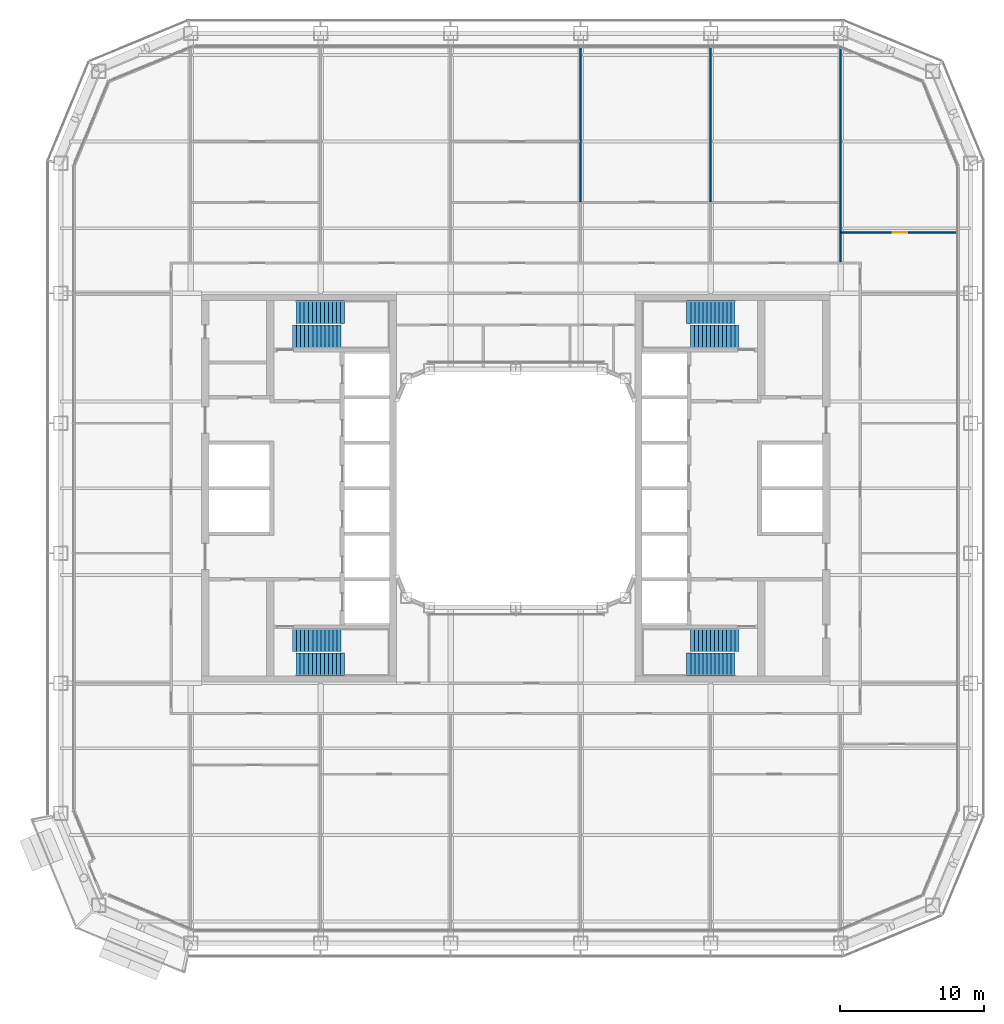
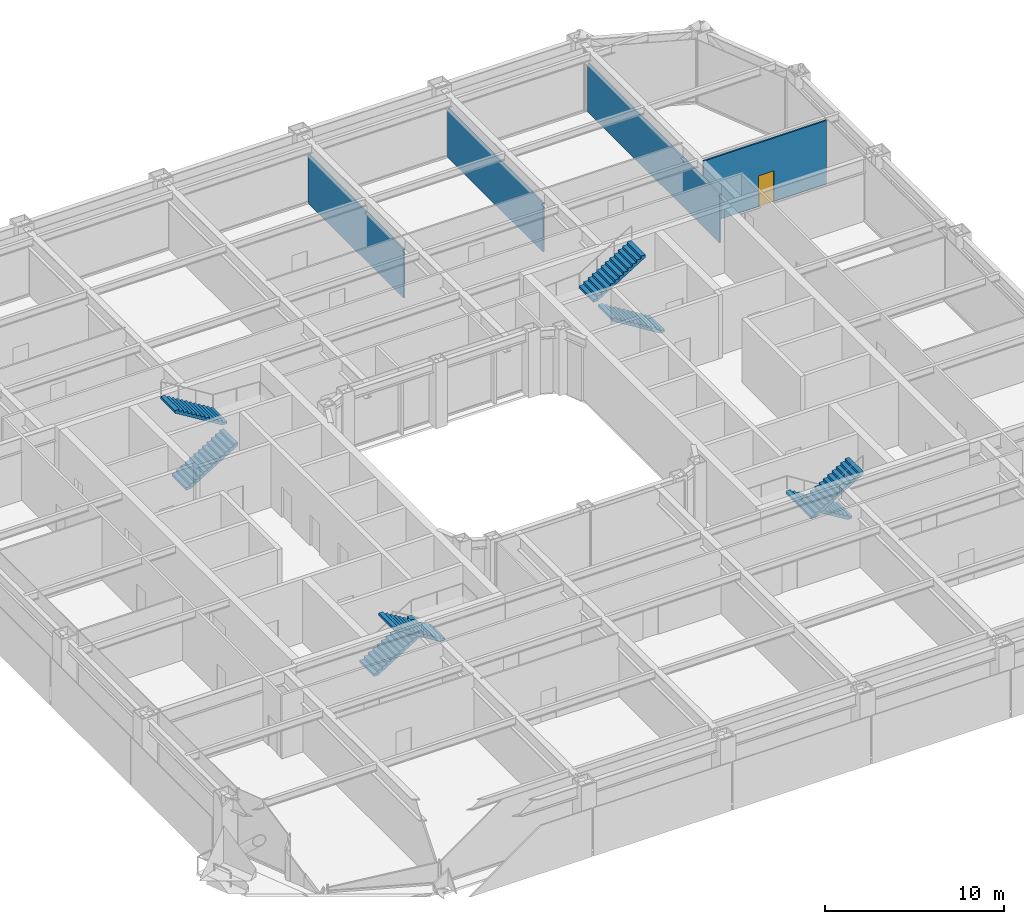
# One storey, part 17 of 27: 8 stair flights, 4 walls, 1 door, 1 opening, 4 elements without a shape of their own.
"""IFC4 building model written with IfcOpenShell, lengths in metres."""

from ifc_helpers import new_model, si_unit, direction, frame, frame_2d, origin, place, context, subcontext, project, spatial, polyline, rectangle, outline, extrude, material, layer, layer_set, type_object, element, fill, aggregate, save


model = new_model("IFC4")

# Units and contexts
model_context = context("Model", 3, precision=1e-05, world=origin(), true_north=direction((0.0, 1.0)))
body_context = subcontext(model_context, "Body", "Model", "MODEL_VIEW")
ifc_project = project(units=[si_unit("LENGTHUNIT", "METRE"), si_unit("AREAUNIT", "SQUARE_METRE"), si_unit("VOLUMEUNIT", "CUBIC_METRE"), si_unit("PLANEANGLEUNIT", "RADIAN"), si_unit("MASSUNIT", "GRAM", prefix="KILO")], contexts=[model_context])

# Site, building, storey
site_placement = place(None, origin())
site = spatial("IfcSite", under=ifc_project, at=site_placement, CompositionType="ELEMENT")
building_placement = place(site_placement, origin())
building = spatial("IfcBuilding", under=site, at=building_placement, Name="Siwar Civic Tower", CompositionType="ELEMENT")
storey_placement = place(building_placement, frame((0.0, 0.0, 53.699951171875)))
storey = spatial("IfcBuildingStorey", under=building, at=storey_placement, Name="L11", CompositionType="ELEMENT", Elevation=53.699951171875)

# Wall, opening, door
ifc_material_1 = material(Name="Gypsum board on steel studs", Category="steel")
ifc_layer = layer(ifc_material_1, 0.10009765625)
ifc_layer_set = layer_set([ifc_layer], Name="Gypsum board on steel studs")
wall_type = type_object("IfcWallType", Name="PARTITION 100 GYPSUM", PredefinedType="PARTITIONING", material=ifc_layer_set)
wall_1_placement = place(storey_placement, frame((22.550048828125, 17.699951171875, 0.0), z_axis=(0.0, 0.0, 1.0), x_axis=(1.0, 0.0, 0.0)))
wall_1 = element("IfcWall", 1, at=wall_1_placement, inside=storey, type_object=wall_type, Name="L11/wall/P19", PredefinedType="PARTITIONING", context=body_context, shape_type="SweptSolid", body=[
    extrude(rectangle(XDim=7.9599609375, YDim=0.10009765625, at=frame_2d((3.97998046875, 0.0))), origin(), (0.0, 0.0, 1.0), 4.35009765625),
])
opening_placement = place(wall_1_placement, frame((3.56005859375, 0.0, 0.0)))
opening = element("IfcOpeningElement", 2, at=opening_placement, cuts=wall_1, Name="Opening D2", PredefinedType="OPENING", context=body_context, shape_type="SweptSolid", body=[
    extrude(rectangle(XDim=1.0, YDim=2.10009765625, at=frame_2d((0.5, 1.050048828125))), frame((0.0, 0.06005859375, 0.0), z_axis=(0.0, -1.0, 0.0), x_axis=(1.0, 0.0, 0.0)), (0.0, 0.0, 1.0), 0.1201171875),
])
ifc_material_2 = material(Name="Timber, painted", Category="wood")
door_type = type_object("IfcDoorType", Name="DOOR 1000 X 2100", OperationType="SINGLE_SWING_LEFT", PredefinedType="DOOR", material=ifc_material_2)
door_placement = place(opening_placement, origin())
door = element("IfcDoor", 3, at=door_placement, inside=storey, type_object=door_type, Name="L11-D22", OperationType="SINGLE_SWING_RIGHT", OverallHeight=2.10009765625, OverallWidth=1.0, PredefinedType="DOOR", context=body_context, shape_type="SweptSolid", body=[
    extrude(rectangle(XDim=1.0, YDim=2.10009765625, at=frame_2d((0.5, 1.050048828125))), frame((0.0, 0.02490234375, 0.0), z_axis=(0.0, -1.0, 0.0), x_axis=(1.0, 0.0, 0.0)), (0.0, 0.0, 1.0), 0.050048828125),
])
fill(opening, door)

# Walls
for number, where, z_axis, x_axis, name in (
    (4, (4.5, 19.85009765625, 0.0), (0.0, 0.0, 1.0), (0.0, 1.0, 0.0), "L11/wall/P36"),
    (5, (13.5, 19.85009765625, 0.0), (0.0, 0.0, 1.0), (0.0, 1.0, 0.0), "L11/wall/P40"),
):
    element("IfcWall", number, at=place(storey_placement, frame(where, z_axis=z_axis, x_axis=x_axis)), inside=storey, type_object=wall_type, Name=name, PredefinedType="PARTITIONING", context=body_context, shape_type="SweptSolid", body=[
        extrude(rectangle(XDim=10.659912109375, YDim=0.10009765625, at=frame_2d((5.330078125, 0.0))), origin(), (0.0, 0.0, 1.0), 3.35009765625),
    ])
wall_2_placement = place(storey_placement, frame((22.5, 15.675048828125, 0.0), z_axis=(0.0, 0.0, 1.0), x_axis=(0.0, 1.0, 0.0)))
element("IfcWall", 6, at=wall_2_placement, inside=storey, type_object=wall_type, Name="L11/wall/P42", PredefinedType="PARTITIONING", context=body_context, shape_type="SweptSolid", body=[
    extrude(rectangle(XDim=14.7529296875, YDim=0.10009765625, at=frame_2d((7.37646484375, 0.0))), origin(), (0.0, 0.0, 1.0), 3.35009765625),
])

# Stair, stair flights
ifc_material_3 = material(Name="Concrete C40/50", Category="concrete")
stair_type = type_object("IfcStairType", Name="CORE-STAIR", PredefinedType="TWO_STRAIGHT_RUN_STAIR", material=ifc_material_3)
stair_1_placement = place(storey_placement, origin())
stair_1 = element("IfcStair", 7, at=stair_1_placement, inside=storey, type_object=stair_type, Name="Exit stair ST1", PredefinedType="TWO_STRAIGHT_RUN_STAIR")
ifc_material_4 = material(Name="Concrete C40/50", Category="concrete")
stair_flight_type = type_object("IfcStairFlightType", Name="CORE-STAIR-FLIGHT", PredefinedType="STRAIGHT", material=ifc_material_4)
stair_flight_1_placement = place(storey_placement, frame((-15.449951171875, 10.5, 0.0), z_axis=(0.0, 0.0, 1.0), x_axis=(1.0, 0.0, 0.0)))
stair_flight_1 = element("IfcStairFlight", 8, at=stair_flight_1_placement, type_object=stair_flight_type, Name="ST1 flight 1", NumberOfRisers=13, NumberOfTreads=12, PredefinedType="STRAIGHT", RiserHeight=0.173076923, TreadLength=0.28, context=body_context, shape_type="SweptSolid", body=[
    extrude(outline(polyline([(0.0, 0.0), (0.0, 0.173095703125), (0.280029296875, 0.173095703125), (0.280029296875, 0.34619140625), (0.56005859375, 0.34619140625), (0.56005859375, 0.519287109375), (0.840087890625, 0.519287109375), (0.840087890625, 0.6923828125), (1.1201171875, 0.6923828125), (1.1201171875, 0.865478515625), (1.39990234375, 0.865478515625), (1.39990234375, 1.03857421875), (1.679931640625, 1.03857421875), (1.679931640625, 1.21142578125), (1.9599609375, 1.21142578125), (1.9599609375, 1.384521484375), (2.239990234375, 1.384521484375), (2.239990234375, 1.5576171875), (2.52001953125, 1.5576171875), (2.52001953125, 1.730712890625), (2.800048828125, 1.730712890625), (2.800048828125, 1.90380859375), (3.080078125, 1.90380859375), (3.080078125, 2.076904296875), (3.360107421875, 2.076904296875), (3.360107421875, 2.25), (3.360107421875, 1.900634765625), (0.28515625, 0.0), (0.0, 0.0)])), frame((0.0, 0.800048828125, 0.0), z_axis=(0.0, -1.0, 0.0), x_axis=(1.0, 0.0, 0.0)), (0.0, 0.0, 1.0), 1.60009765625),
])
stair_flight_2_placement = place(storey_placement, frame((-11.840087890625, 12.199951171875, 2.25), z_axis=(0.0, 0.0, 1.0), x_axis=(-1.0, 0.0, 0.0)))
stair_flight_2 = element("IfcStairFlight", 9, at=stair_flight_2_placement, type_object=stair_flight_type, Name="ST1 flight 2", NumberOfRisers=13, NumberOfTreads=12, PredefinedType="STRAIGHT", RiserHeight=0.173076923, TreadLength=0.28, context=body_context, shape_type="SweptSolid", body=[
    extrude(outline(polyline([(0.0, 0.0), (0.0, 0.173095703125), (0.280029296875, 0.173095703125), (0.280029296875, 0.34619140625), (0.56005859375, 0.34619140625), (0.56005859375, 0.519287109375), (0.840087890625, 0.519287109375), (0.840087890625, 0.6923828125), (1.1201171875, 0.6923828125), (1.1201171875, 0.865478515625), (1.39990234375, 0.865478515625), (1.39990234375, 1.03857421875), (1.679931640625, 1.03857421875), (1.679931640625, 1.21142578125), (1.9599609375, 1.21142578125), (1.9599609375, 1.384521484375), (2.239990234375, 1.384521484375), (2.239990234375, 1.5576171875), (2.52001953125, 1.5576171875), (2.52001953125, 1.730712890625), (2.800048828125, 1.730712890625), (2.800048828125, 1.90380859375), (3.080078125, 1.90380859375), (3.080078125, 2.076904296875), (3.360107421875, 2.076904296875), (3.360107421875, 2.25), (3.360107421875, 1.900634765625), (0.28515625, 0.0), (0.0, 0.0)])), frame((0.0, 0.800048828125, 0.0), z_axis=(0.0, -1.0, 0.0), x_axis=(1.0, 0.0, 0.0)), (0.0, 0.0, 1.0), 1.60009765625),
])
aggregate(stair_1, [stair_flight_1, stair_flight_2])

stair_2_placement = place(storey_placement, origin())
stair_2 = element("IfcStair", 10, at=stair_2_placement, inside=storey, type_object=stair_type, Name="Exit stair ST2", PredefinedType="TWO_STRAIGHT_RUN_STAIR")
stair_flight_3_placement = place(storey_placement, frame((-15.449951171875, -10.5, 0.0), z_axis=(0.0, 0.0, 1.0), x_axis=(1.0, 0.0, 0.0)))
stair_flight_3 = element("IfcStairFlight", 11, at=stair_flight_3_placement, type_object=stair_flight_type, Name="ST2 flight 1", NumberOfRisers=13, NumberOfTreads=12, PredefinedType="STRAIGHT", RiserHeight=0.173076923, TreadLength=0.28, context=body_context, shape_type="SweptSolid", body=[
    extrude(outline(polyline([(0.0, 0.0), (0.0, 0.173095703125), (0.280029296875, 0.173095703125), (0.280029296875, 0.34619140625), (0.56005859375, 0.34619140625), (0.56005859375, 0.519287109375), (0.840087890625, 0.519287109375), (0.840087890625, 0.6923828125), (1.1201171875, 0.6923828125), (1.1201171875, 0.865478515625), (1.39990234375, 0.865478515625), (1.39990234375, 1.03857421875), (1.679931640625, 1.03857421875), (1.679931640625, 1.21142578125), (1.9599609375, 1.21142578125), (1.9599609375, 1.384521484375), (2.239990234375, 1.384521484375), (2.239990234375, 1.5576171875), (2.52001953125, 1.5576171875), (2.52001953125, 1.730712890625), (2.800048828125, 1.730712890625), (2.800048828125, 1.90380859375), (3.080078125, 1.90380859375), (3.080078125, 2.076904296875), (3.360107421875, 2.076904296875), (3.360107421875, 2.25), (3.360107421875, 1.900634765625), (0.28515625, 0.0), (0.0, 0.0)])), frame((0.0, 0.800048828125, 0.0), z_axis=(0.0, -1.0, 0.0), x_axis=(1.0, 0.0, 0.0)), (0.0, 0.0, 1.0), 1.60009765625),
])
stair_flight_4_placement = place(storey_placement, frame((-11.840087890625, -12.199951171875, 2.25), z_axis=(0.0, 0.0, 1.0), x_axis=(-1.0, 0.0, 0.0)))
stair_flight_4 = element("IfcStairFlight", 12, at=stair_flight_4_placement, type_object=stair_flight_type, Name="ST2 flight 2", NumberOfRisers=13, NumberOfTreads=12, PredefinedType="STRAIGHT", RiserHeight=0.173076923, TreadLength=0.28, context=body_context, shape_type="SweptSolid", body=[
    extrude(outline(polyline([(0.0, 0.0), (0.0, 0.173095703125), (0.280029296875, 0.173095703125), (0.280029296875, 0.34619140625), (0.56005859375, 0.34619140625), (0.56005859375, 0.519287109375), (0.840087890625, 0.519287109375), (0.840087890625, 0.6923828125), (1.1201171875, 0.6923828125), (1.1201171875, 0.865478515625), (1.39990234375, 0.865478515625), (1.39990234375, 1.03857421875), (1.679931640625, 1.03857421875), (1.679931640625, 1.21142578125), (1.9599609375, 1.21142578125), (1.9599609375, 1.384521484375), (2.239990234375, 1.384521484375), (2.239990234375, 1.5576171875), (2.52001953125, 1.5576171875), (2.52001953125, 1.730712890625), (2.800048828125, 1.730712890625), (2.800048828125, 1.90380859375), (3.080078125, 1.90380859375), (3.080078125, 2.076904296875), (3.360107421875, 2.076904296875), (3.360107421875, 2.25), (3.360107421875, 1.900634765625), (0.28515625, 0.0), (0.0, 0.0)])), frame((0.0, 0.800048828125, 0.0), z_axis=(0.0, -1.0, 0.0), x_axis=(1.0, 0.0, 0.0)), (0.0, 0.0, 1.0), 1.60009765625),
])
aggregate(stair_2, [stair_flight_3, stair_flight_4])

stair_3_placement = place(storey_placement, origin())
stair_3 = element("IfcStair", 13, at=stair_3_placement, inside=storey, type_object=stair_type, Name="Exit stair ST3", PredefinedType="TWO_STRAIGHT_RUN_STAIR")
stair_flight_5_placement = place(storey_placement, frame((15.449951171875, 10.5, 0.0), z_axis=(0.0, 0.0, 1.0), x_axis=(-1.0, 0.0, 0.0)))
stair_flight_5 = element("IfcStairFlight", 14, at=stair_flight_5_placement, type_object=stair_flight_type, Name="ST3 flight 1", NumberOfRisers=13, NumberOfTreads=12, PredefinedType="STRAIGHT", RiserHeight=0.173076923, TreadLength=0.28, context=body_context, shape_type="SweptSolid", body=[
    extrude(outline(polyline([(0.0, 0.0), (0.0, 0.173095703125), (0.280029296875, 0.173095703125), (0.280029296875, 0.34619140625), (0.56005859375, 0.34619140625), (0.56005859375, 0.519287109375), (0.840087890625, 0.519287109375), (0.840087890625, 0.6923828125), (1.1201171875, 0.6923828125), (1.1201171875, 0.865478515625), (1.39990234375, 0.865478515625), (1.39990234375, 1.03857421875), (1.679931640625, 1.03857421875), (1.679931640625, 1.21142578125), (1.9599609375, 1.21142578125), (1.9599609375, 1.384521484375), (2.239990234375, 1.384521484375), (2.239990234375, 1.5576171875), (2.52001953125, 1.5576171875), (2.52001953125, 1.730712890625), (2.800048828125, 1.730712890625), (2.800048828125, 1.90380859375), (3.080078125, 1.90380859375), (3.080078125, 2.076904296875), (3.360107421875, 2.076904296875), (3.360107421875, 2.25), (3.360107421875, 1.900634765625), (0.28515625, 0.0), (0.0, 0.0)])), frame((0.0, 0.800048828125, 0.0), z_axis=(0.0, -1.0, 0.0), x_axis=(1.0, 0.0, 0.0)), (0.0, 0.0, 1.0), 1.60009765625),
])
stair_flight_6_placement = place(storey_placement, frame((11.840087890625, 12.199951171875, 2.25), z_axis=(0.0, 0.0, 1.0), x_axis=(1.0, 0.0, 0.0)))
stair_flight_6 = element("IfcStairFlight", 15, at=stair_flight_6_placement, type_object=stair_flight_type, Name="ST3 flight 2", NumberOfRisers=13, NumberOfTreads=12, PredefinedType="STRAIGHT", RiserHeight=0.173076923, TreadLength=0.28, context=body_context, shape_type="SweptSolid", body=[
    extrude(outline(polyline([(0.0, 0.0), (0.0, 0.173095703125), (0.280029296875, 0.173095703125), (0.280029296875, 0.34619140625), (0.56005859375, 0.34619140625), (0.56005859375, 0.519287109375), (0.840087890625, 0.519287109375), (0.840087890625, 0.6923828125), (1.1201171875, 0.6923828125), (1.1201171875, 0.865478515625), (1.39990234375, 0.865478515625), (1.39990234375, 1.03857421875), (1.679931640625, 1.03857421875), (1.679931640625, 1.21142578125), (1.9599609375, 1.21142578125), (1.9599609375, 1.384521484375), (2.239990234375, 1.384521484375), (2.239990234375, 1.5576171875), (2.52001953125, 1.5576171875), (2.52001953125, 1.730712890625), (2.800048828125, 1.730712890625), (2.800048828125, 1.90380859375), (3.080078125, 1.90380859375), (3.080078125, 2.076904296875), (3.360107421875, 2.076904296875), (3.360107421875, 2.25), (3.360107421875, 1.900634765625), (0.28515625, 0.0), (0.0, 0.0)])), frame((0.0, 0.800048828125, 0.0), z_axis=(0.0, -1.0, 0.0), x_axis=(1.0, 0.0, 0.0)), (0.0, 0.0, 1.0), 1.60009765625),
])
aggregate(stair_3, [stair_flight_5, stair_flight_6])

stair_4_placement = place(storey_placement, origin())
stair_4 = element("IfcStair", 16, at=stair_4_placement, inside=storey, type_object=stair_type, Name="Exit stair ST4", PredefinedType="TWO_STRAIGHT_RUN_STAIR")
stair_flight_7_placement = place(storey_placement, frame((15.449951171875, -10.5, 0.0), z_axis=(0.0, 0.0, 1.0), x_axis=(-1.0, 0.0, 0.0)))
stair_flight_7 = element("IfcStairFlight", 17, at=stair_flight_7_placement, type_object=stair_flight_type, Name="ST4 flight 1", NumberOfRisers=13, NumberOfTreads=12, PredefinedType="STRAIGHT", RiserHeight=0.173076923, TreadLength=0.28, context=body_context, shape_type="SweptSolid", body=[
    extrude(outline(polyline([(0.0, 0.0), (0.0, 0.173095703125), (0.280029296875, 0.173095703125), (0.280029296875, 0.34619140625), (0.56005859375, 0.34619140625), (0.56005859375, 0.519287109375), (0.840087890625, 0.519287109375), (0.840087890625, 0.6923828125), (1.1201171875, 0.6923828125), (1.1201171875, 0.865478515625), (1.39990234375, 0.865478515625), (1.39990234375, 1.03857421875), (1.679931640625, 1.03857421875), (1.679931640625, 1.21142578125), (1.9599609375, 1.21142578125), (1.9599609375, 1.384521484375), (2.239990234375, 1.384521484375), (2.239990234375, 1.5576171875), (2.52001953125, 1.5576171875), (2.52001953125, 1.730712890625), (2.800048828125, 1.730712890625), (2.800048828125, 1.90380859375), (3.080078125, 1.90380859375), (3.080078125, 2.076904296875), (3.360107421875, 2.076904296875), (3.360107421875, 2.25), (3.360107421875, 1.900634765625), (0.28515625, 0.0), (0.0, 0.0)])), frame((0.0, 0.800048828125, 0.0), z_axis=(0.0, -1.0, 0.0), x_axis=(1.0, 0.0, 0.0)), (0.0, 0.0, 1.0), 1.60009765625),
])
stair_flight_8_placement = place(storey_placement, frame((11.840087890625, -12.199951171875, 2.25), z_axis=(0.0, 0.0, 1.0), x_axis=(1.0, 0.0, 0.0)))
stair_flight_8 = element("IfcStairFlight", 18, at=stair_flight_8_placement, type_object=stair_flight_type, Name="ST4 flight 2", NumberOfRisers=13, NumberOfTreads=12, PredefinedType="STRAIGHT", RiserHeight=0.173076923, TreadLength=0.28, context=body_context, shape_type="SweptSolid", body=[
    extrude(outline(polyline([(0.0, 0.0), (0.0, 0.173095703125), (0.280029296875, 0.173095703125), (0.280029296875, 0.34619140625), (0.56005859375, 0.34619140625), (0.56005859375, 0.519287109375), (0.840087890625, 0.519287109375), (0.840087890625, 0.6923828125), (1.1201171875, 0.6923828125), (1.1201171875, 0.865478515625), (1.39990234375, 0.865478515625), (1.39990234375, 1.03857421875), (1.679931640625, 1.03857421875), (1.679931640625, 1.21142578125), (1.9599609375, 1.21142578125), (1.9599609375, 1.384521484375), (2.239990234375, 1.384521484375), (2.239990234375, 1.5576171875), (2.52001953125, 1.5576171875), (2.52001953125, 1.730712890625), (2.800048828125, 1.730712890625), (2.800048828125, 1.90380859375), (3.080078125, 1.90380859375), (3.080078125, 2.076904296875), (3.360107421875, 2.076904296875), (3.360107421875, 2.25), (3.360107421875, 1.900634765625), (0.28515625, 0.0), (0.0, 0.0)])), frame((0.0, 0.800048828125, 0.0), z_axis=(0.0, -1.0, 0.0), x_axis=(1.0, 0.0, 0.0)), (0.0, 0.0, 1.0), 1.60009765625),
])
aggregate(stair_4, [stair_flight_7, stair_flight_8])

save(model, "model.ifc")
